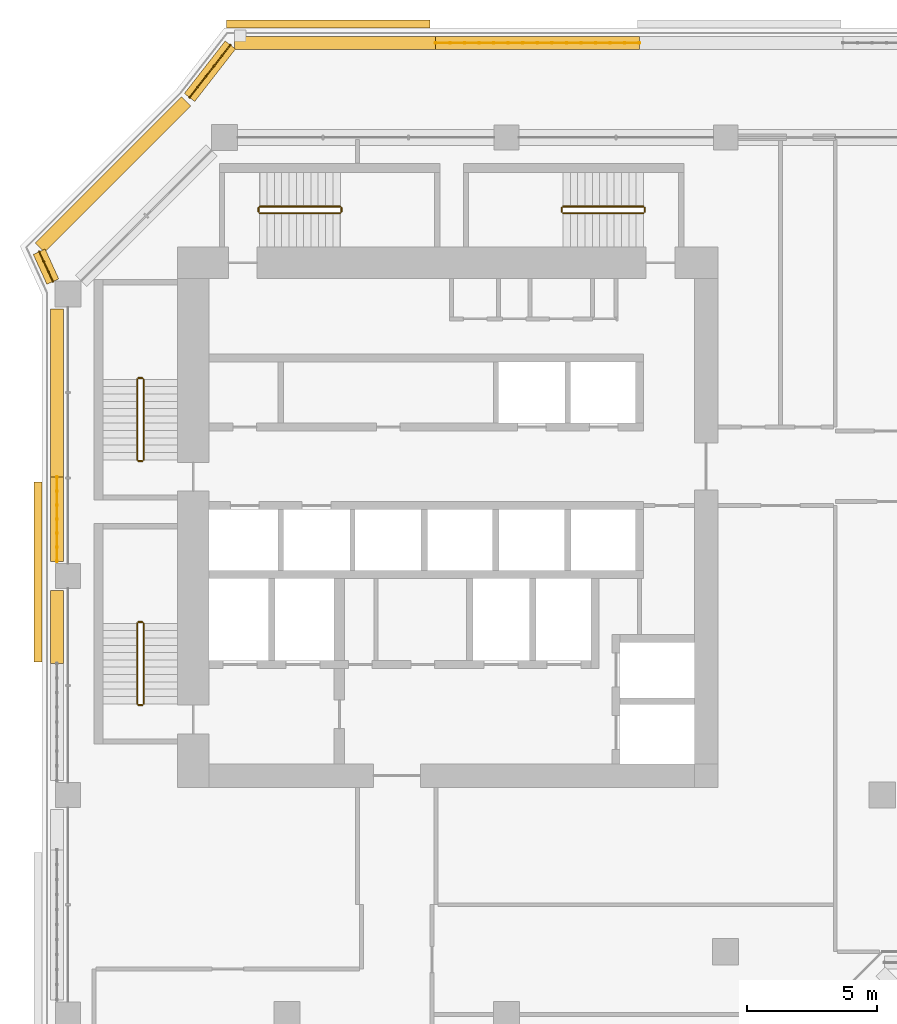
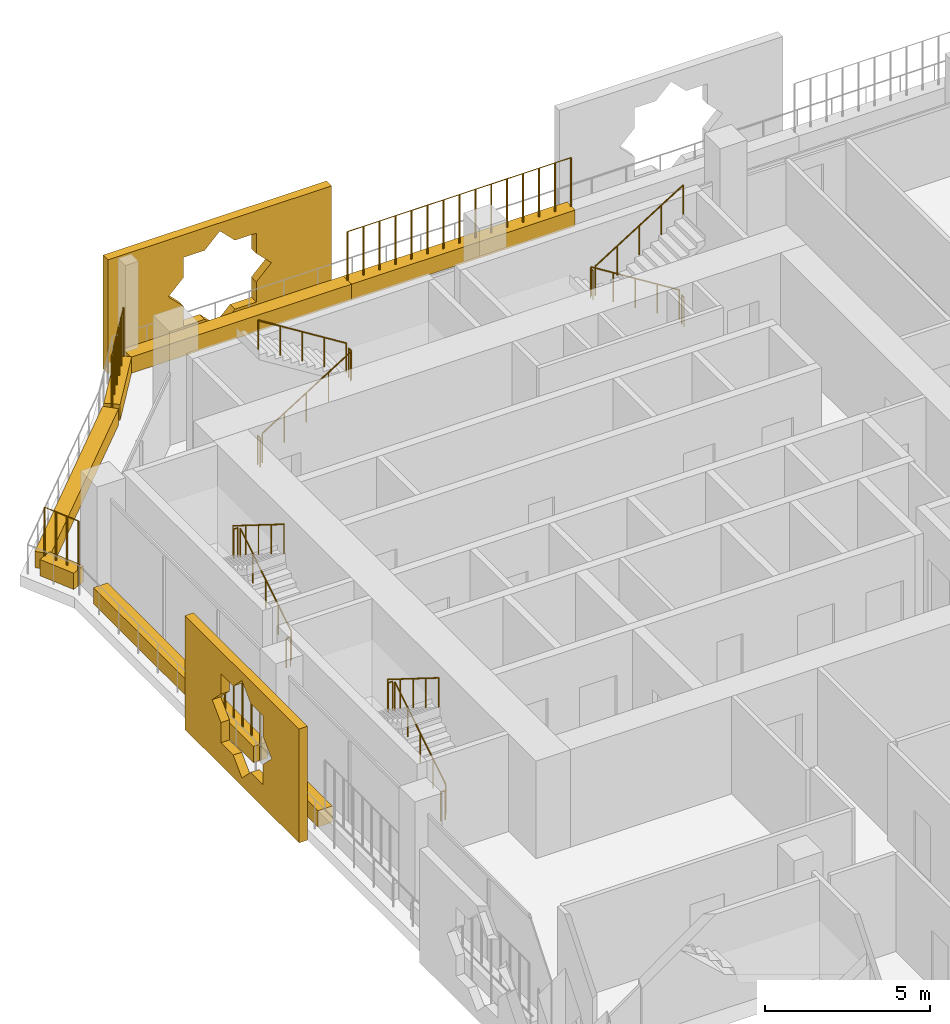
# One storey, part 19 of 21: 20 railings, 10 coverings.
"""IFC4 building model written with IfcOpenShell, lengths in metres."""

from ifc_helpers import new_model, si_unit, direction, frame, origin, origin_2d, place, context, subcontext, project, spatial, polyline, rectangle, circle, outline, extrude, material, material_profile, profile_set, type_object, element, save


model = new_model("IFC4")

# Units and contexts
model_context = context("Model", 3, precision=1e-05, world=origin(), true_north=direction((0.0, 1.0)))
body_context = subcontext(model_context, "Body", "Model", "MODEL_VIEW")
ifc_project = project(units=[si_unit("LENGTHUNIT", "METRE"), si_unit("AREAUNIT", "SQUARE_METRE"), si_unit("VOLUMEUNIT", "CUBIC_METRE"), si_unit("PLANEANGLEUNIT", "RADIAN"), si_unit("MASSUNIT", "GRAM", prefix="KILO")], contexts=[model_context])

# Site, building, storey
site_placement = place(None, origin())
site = spatial("IfcSite", under=ifc_project, at=site_placement, CompositionType="ELEMENT")
building_placement = place(site_placement, origin())
building = spatial("IfcBuilding", under=site, at=building_placement, Name="Kawkab Arch Medical Tower", CompositionType="ELEMENT")
storey_placement = place(building_placement, frame((0.0, 0.0, 192.0)))
storey = spatial("IfcBuildingStorey", under=building, at=storey_placement, Name="L44", CompositionType="ELEMENT", Elevation=192.0)

# Coverings
ifc_material_1 = material(Name="Bronze anodised aluminium mashrabiya panel, eight-point star pattern", Category="aluminium")
ifc_material_profile_1 = material_profile(ifc_material_1, outline(polyline([(-3.449951171875, -2.10009765625), (3.449951171875, -2.10009765625), (3.449951171875, 2.10009765625), (-3.449951171875, 2.10009765625), (-3.449951171875, -2.10009765625)]), holes=[polyline([(1.800048828125, 0.0), (1.272705078125, 0.527099609375), (1.272705078125, 1.272705078125), (0.527099609375, 1.272705078125), (0.0, 1.800048828125), (-0.527099609375, 1.272705078125), (-1.272705078125, 1.272705078125), (-1.272705078125, 0.527099609375), (-1.800048828125, 0.0), (-1.272705078125, -0.527099609375), (-1.272705078125, -1.272705078125), (-0.527099609375, -1.272705078125), (0.0, -1.800048828125), (0.527099609375, -1.272705078125), (1.272705078125, -1.272705078125), (1.272705078125, -0.527099609375), (1.800048828125, 0.0)])]), Name="Mashrabiya panel 6900x4200")
ifc_profile_set_1 = profile_set([ifc_material_profile_1], Name="Bronze anodised aluminium mashrabiya panel, eight-point star pattern")
covering_type_1 = type_object("IfcCoveringType", Name="Mashrabiya panel 6900 x 4200", PredefinedType="USERDEFINED", material=ifc_profile_set_1)
covering_1_placement = place(storey_placement, frame((-1.0, -16.64892578125, 1.699951171875), z_axis=(-1.0, 0.0, 0.0), x_axis=(0.0, -1.0, 0.0)))
element("IfcCovering", 1, at=covering_1_placement, inside=storey, type_object=covering_type_1, Name="Mashrabiya panel L44.LOG-01-01.4", ObjectType="SCREEN", PredefinedType="USERDEFINED", context=body_context, shape_type="SweptSolid", body=[
    extrude(outline(polyline([(-3.449951171875, -2.10009765625), (3.449951171875, -2.10009765625), (3.449951171875, 2.10009765625), (-3.449951171875, 2.10009765625), (-3.449951171875, -2.10009765625)]), holes=[polyline([(1.800048828125, 0.0), (1.272705078125, 0.527099609375), (1.272705078125, 1.272705078125), (0.527099609375, 1.272705078125), (0.0, 1.800048828125), (-0.527099609375, 1.272705078125), (-1.272705078125, 1.272705078125), (-1.272705078125, 0.527099609375), (-1.800048828125, 0.0), (-1.272705078125, -0.527099609375), (-1.272705078125, -1.272705078125), (-0.527099609375, -1.272705078125), (0.0, -1.800048828125), (0.527099609375, -1.272705078125), (1.272705078125, -1.272705078125), (1.272705078125, -0.527099609375), (1.800048828125, 0.0)])]), origin(), (0.0, 0.0, 1.0), 0.300048828125),
])
ifc_material_2 = material(Name="Bronze anodised aluminium mashrabiya panel, eight-point star pattern", Category="aluminium")
ifc_material_profile_2 = material_profile(ifc_material_2, outline(polyline([(-3.89990234375, -2.10009765625), (3.89990234375, -2.10009765625), (3.89990234375, 2.10009765625), (-3.89990234375, 2.10009765625), (-3.89990234375, -2.10009765625)]), holes=[polyline([(1.800048828125, 0.0), (1.272705078125, 0.527099609375), (1.272705078125, 1.272705078125), (0.527099609375, 1.272705078125), (0.0, 1.800048828125), (-0.527099609375, 1.272705078125), (-1.272705078125, 1.272705078125), (-1.272705078125, 0.527099609375), (-1.800048828125, 0.0), (-1.272705078125, -0.527099609375), (-1.272705078125, -1.272705078125), (-0.527099609375, -1.272705078125), (0.0, -1.800048828125), (0.527099609375, -1.272705078125), (1.272705078125, -1.272705078125), (1.272705078125, -0.527099609375), (1.800048828125, 0.0)])]), Name="Mashrabiya panel 7800x4200")
ifc_profile_set_2 = profile_set([ifc_material_profile_2], Name="Bronze anodised aluminium mashrabiya panel, eight-point star pattern")
covering_type_2 = type_object("IfcCoveringType", Name="Mashrabiya panel 7800 x 4200", PredefinedType="USERDEFINED", material=ifc_profile_set_2)
covering_2_placement = place(storey_placement, frame((9.967041015625, 4.199951171875, 1.699951171875), z_axis=(0.0, 1.0, 0.0), x_axis=(-1.0, 0.0, 0.0)))
element("IfcCovering", 2, at=covering_2_placement, inside=storey, type_object=covering_type_2, Name="Mashrabiya panel L44.LOG-01-01.5", ObjectType="SCREEN", PredefinedType="USERDEFINED", context=body_context, shape_type="SweptSolid", body=[
    extrude(outline(polyline([(-3.89990234375, -2.10009765625), (3.89990234375, -2.10009765625), (3.89990234375, 2.10009765625), (-3.89990234375, 2.10009765625), (-3.89990234375, -2.10009765625)]), holes=[polyline([(1.800048828125, 0.0), (1.272705078125, 0.527099609375), (1.272705078125, 1.272705078125), (0.527099609375, 1.272705078125), (0.0, 1.800048828125), (-0.527099609375, 1.272705078125), (-1.272705078125, 1.272705078125), (-1.272705078125, 0.527099609375), (-1.800048828125, 0.0), (-1.272705078125, -0.527099609375), (-1.272705078125, -1.272705078125), (-0.527099609375, -1.272705078125), (0.0, -1.800048828125), (0.527099609375, -1.272705078125), (1.272705078125, -1.272705078125), (1.272705078125, -0.527099609375), (1.800048828125, 0.0)])]), origin(), (0.0, 0.0, 1.0), 0.300048828125),
])
ifc_material_3 = material(Name="Planting soil in a precast trough", Category="concrete")
ifc_material_profile_3 = material_profile(ifc_material_3, rectangle(XDim=0.5, YDim=0.60009765625, at=origin_2d()), Name="Trough 500x600")
ifc_profile_set_3 = profile_set([ifc_material_profile_3], Name="Planting soil in a precast trough")
covering_type_3 = type_object("IfcCoveringType", Name="Planter trough 500 x 600", PredefinedType="USERDEFINED", material=ifc_profile_set_3)
covering_3_placement = place(storey_placement, frame((-0.419921875, -20.157958984375, 0.300048828125), z_axis=(0.0, 1.0, 0.0), x_axis=(-1.0, 0.0, 0.0)))
element("IfcCovering", 3, at=covering_3_placement, inside=storey, type_object=covering_type_3, Name="Planter L44.LOG-01-01.12", ObjectType="PLANTER", PredefinedType="USERDEFINED", context=body_context, shape_type="SweptSolid", body=[
    extrude(rectangle(XDim=0.5, YDim=0.60009765625, at=origin_2d()), origin(), (0.0, 0.0, 1.0), 2.802978515625),
])
covering_4_placement = place(storey_placement, frame((-0.419921875, -16.2451171875, 0.300048828125), z_axis=(0.0, 1.0, 0.0), x_axis=(-1.0, 0.0, 0.0)))
element("IfcCovering", 4, at=covering_4_placement, inside=storey, type_object=covering_type_3, Name="Planter L44.LOG-01-01.13", ObjectType="PLANTER", PredefinedType="USERDEFINED", context=body_context, shape_type="SweptSolid", body=[
    extrude(rectangle(XDim=0.5, YDim=0.60009765625, at=origin_2d()), origin(), (0.0, 0.0, 1.0), 3.22900390625),
])
covering_5_placement = place(storey_placement, frame((-0.419921875, -13.01611328125, 0.300048828125), z_axis=(0.0, 1.0, 0.0), x_axis=(-1.0, 0.0, 0.0)))
element("IfcCovering", 5, at=covering_5_placement, inside=storey, type_object=covering_type_3, Name="Planter L44.LOG-01-01.14", ObjectType="PLANTER", PredefinedType="USERDEFINED", context=body_context, shape_type="SweptSolid", body=[
    extrude(rectangle(XDim=0.5, YDim=0.60009765625, at=origin_2d()), origin(), (0.0, 0.0, 1.0), 6.43603515625),
])
covering_6_placement = place(storey_placement, frame((-0.580078125, -5.52294921875, 0.300048828125), z_axis=(-0.415089762627, 0.909780461959, 0.0), x_axis=(-0.909780461959, -0.415089762627, 0.0)))
element("IfcCovering", 6, at=covering_6_placement, inside=storey, type_object=covering_type_3, Name="Planter L44.LOG-01-01.15", ObjectType="PLANTER", PredefinedType="USERDEFINED", context=body_context, shape_type="SweptSolid", body=[
    extrude(rectangle(XDim=0.5, YDim=0.60009765625, at=origin_2d()), origin(), (0.0, 0.0, 1.0), 1.257568359375),
])
covering_7_placement = place(storey_placement, frame((-1.072998046875, -4.217041015625, 0.300048828125), z_axis=(0.707106781187, 0.707106781187, 0.0), x_axis=(-0.707106781187, 0.707106781187, 0.0)))
element("IfcCovering", 7, at=covering_7_placement, inside=storey, type_object=covering_type_3, Name="Planter L44.LOG-01-01.16", ObjectType="PLANTER", PredefinedType="USERDEFINED", context=body_context, shape_type="SweptSolid", body=[
    extrude(rectangle(XDim=0.5, YDim=0.60009765625, at=origin_2d()), origin(), (0.0, 0.0, 1.0), 7.919677734375),
])
covering_8_placement = place(storey_placement, frame((4.658935546875, 1.531982421875, 0.300048828125), z_axis=(0.61404021143, 0.789274742246, 0.0), x_axis=(-0.789274742246, 0.61404021143, 0.0)))
element("IfcCovering", 8, at=covering_8_placement, inside=storey, type_object=covering_type_3, Name="Planter L44.LOG-01-01.17", ObjectType="PLANTER", PredefinedType="USERDEFINED", context=body_context, shape_type="SweptSolid", body=[
    extrude(rectangle(XDim=0.5, YDim=0.60009765625, at=origin_2d()), origin(), (0.0, 0.0, 1.0), 2.54541015625),
])
covering_9_placement = place(storey_placement, frame((6.384033203125, 3.6201171875, 0.300048828125), z_axis=(1.0, 0.0, 0.0), x_axis=(0.0, 1.0, 0.0)))
element("IfcCovering", 9, at=covering_9_placement, inside=storey, type_object=covering_type_3, Name="Planter L44.LOG-01-01.18", ObjectType="PLANTER", PredefinedType="USERDEFINED", context=body_context, shape_type="SweptSolid", body=[
    extrude(rectangle(XDim=0.5, YDim=0.60009765625, at=origin_2d()), origin(), (0.0, 0.0, 1.0), 7.703857421875),
])
covering_10_placement = place(storey_placement, frame((14.087890625, 3.6201171875, 0.300048828125), z_axis=(1.0, 0.0, 0.0), x_axis=(0.0, 1.0, 0.0)))
element("IfcCovering", 10, at=covering_10_placement, inside=storey, type_object=covering_type_3, Name="Planter L44.LOG-01-01.19", ObjectType="PLANTER", PredefinedType="USERDEFINED", context=body_context, shape_type="SweptSolid", body=[
    extrude(rectangle(XDim=0.5, YDim=0.60009765625, at=origin_2d()), origin(), (0.0, 0.0, 1.0), 7.80517578125),
])

# Railings
ifc_material_4 = material(Name="Bronze anodised aluminium trellis for climbing plants", Category="aluminium")
railing_type_1 = type_object("IfcRailingType", Name="Planting trellis 2400", PredefinedType="USERDEFINED", material=ifc_material_4)
railing_1_placement = place(storey_placement, frame((-0.419921875, -16.2451171875, 0.0)))
element("IfcRailing", 11, at=railing_1_placement, inside=storey, type_object=railing_type_1, Name="Planting trellis L44.LOG-01-01.13", ObjectType="TRELLIS", PredefinedType="USERDEFINED", context=body_context, shape_type="SweptSolid", body=[
    extrude(circle(Radius=0.01513671875, at=origin_2d()), frame((0.0, 0.0, 2.384765625), z_axis=(0.0, 1.0, 0.0), x_axis=(-1.0, 0.0, 0.0)), (0.0, 0.0, 1.0), 3.22900390625),
    extrude(circle(Radius=0.030029296875, at=origin_2d()), origin(), (0.0, 0.0, 1.0), 2.369873046875),
    extrude(circle(Radius=0.030029296875, at=origin_2d()), frame((0.0, 0.5380859375, 0.0)), (0.0, 0.0, 1.0), 2.369873046875),
    extrude(circle(Radius=0.030029296875, at=origin_2d()), frame((0.0, 1.076416015625, 0.0)), (0.0, 0.0, 1.0), 2.369873046875),
    extrude(circle(Radius=0.030029296875, at=origin_2d()), frame((0.0, 1.614501953125, 0.0)), (0.0, 0.0, 1.0), 2.369873046875),
    extrude(circle(Radius=0.030029296875, at=origin_2d()), frame((0.0, 2.152587890625, 0.0)), (0.0, 0.0, 1.0), 2.369873046875),
    extrude(circle(Radius=0.030029296875, at=origin_2d()), frame((0.0, 2.69091796875, 0.0)), (0.0, 0.0, 1.0), 2.369873046875),
    extrude(circle(Radius=0.030029296875, at=origin_2d()), frame((0.0, 3.22900390625, 0.0)), (0.0, 0.0, 1.0), 2.369873046875),
])
railing_2_placement = place(storey_placement, frame((-0.580078125, -5.52294921875, 0.0)))
element("IfcRailing", 12, at=railing_2_placement, inside=storey, type_object=railing_type_1, Name="Planting trellis L44.LOG-01-01.15", ObjectType="TRELLIS", PredefinedType="USERDEFINED", context=body_context, shape_type="SweptSolid", body=[
    extrude(circle(Radius=0.01513671875, at=origin_2d()), frame((0.0, 0.0, 2.384765625), z_axis=(-0.415089762627, 0.909780461959, 0.0), x_axis=(-0.909780461959, -0.415089762627, 0.0)), (0.0, 0.0, 1.0), 1.257568359375),
    extrude(circle(Radius=0.030029296875, at=origin_2d()), origin(), (0.0, 0.0, 1.0), 2.369873046875),
    extrude(circle(Radius=0.030029296875, at=origin_2d()), frame((-0.174072265625, 0.38134765625, 0.0)), (0.0, 0.0, 1.0), 2.369873046875),
    extrude(circle(Radius=0.030029296875, at=origin_2d()), frame((-0.347900390625, 0.7626953125, 0.0)), (0.0, 0.0, 1.0), 2.369873046875),
    extrude(circle(Radius=0.030029296875, at=origin_2d()), frame((-0.52197265625, 1.14404296875, 0.0)), (0.0, 0.0, 1.0), 2.369873046875),
])
railing_3_placement = place(storey_placement, frame((4.658935546875, 1.531982421875, 0.0)))
element("IfcRailing", 13, at=railing_3_placement, inside=storey, type_object=railing_type_1, Name="Planting trellis L44.LOG-01-01.17", ObjectType="TRELLIS", PredefinedType="USERDEFINED", context=body_context, shape_type="SweptSolid", body=[
    extrude(circle(Radius=0.01513671875, at=origin_2d()), frame((0.0, 0.0, 2.384765625), z_axis=(0.61404021143, 0.789274742246, 0.0), x_axis=(-0.789274742246, 0.61404021143, 0.0)), (0.0, 0.0, 1.0), 2.54541015625),
    extrude(circle(Radius=0.030029296875, at=origin_2d()), origin(), (0.0, 0.0, 1.0), 2.369873046875),
    extrude(circle(Radius=0.030029296875, at=origin_2d()), frame((0.3125, 0.40185546875, 0.0)), (0.0, 0.0, 1.0), 2.369873046875),
    extrude(circle(Radius=0.030029296875, at=origin_2d()), frame((0.625244140625, 0.8037109375, 0.0)), (0.0, 0.0, 1.0), 2.369873046875),
    extrude(circle(Radius=0.030029296875, at=origin_2d()), frame((0.937744140625, 1.205322265625, 0.0)), (0.0, 0.0, 1.0), 2.369873046875),
    extrude(circle(Radius=0.030029296875, at=origin_2d()), frame((1.25048828125, 1.607177734375, 0.0)), (0.0, 0.0, 1.0), 2.369873046875),
    extrude(circle(Radius=0.030029296875, at=origin_2d()), frame((1.56298828125, 2.009033203125, 0.0)), (0.0, 0.0, 1.0), 2.369873046875),
])
railing_4_placement = place(storey_placement, frame((14.087890625, 3.6201171875, 0.0)))
element("IfcRailing", 14, at=railing_4_placement, inside=storey, type_object=railing_type_1, Name="Planting trellis L44.LOG-01-01.19", ObjectType="TRELLIS", PredefinedType="USERDEFINED", context=body_context, shape_type="SweptSolid", body=[
    extrude(circle(Radius=0.01513671875, at=origin_2d()), frame((0.0, 0.0, 2.384765625), z_axis=(1.0, 0.0, 0.0), x_axis=(0.0, 1.0, 0.0)), (0.0, 0.0, 1.0), 7.80517578125),
    extrude(circle(Radius=0.030029296875, at=origin_2d()), origin(), (0.0, 0.0, 1.0), 2.369873046875),
    extrude(circle(Radius=0.030029296875, at=origin_2d()), frame((0.5576171875, 0.0, 0.0)), (0.0, 0.0, 1.0), 2.369873046875),
    extrude(circle(Radius=0.030029296875, at=origin_2d()), frame((1.114990234375, 0.0, 0.0)), (0.0, 0.0, 1.0), 2.369873046875),
    extrude(circle(Radius=0.030029296875, at=origin_2d()), frame((1.672607421875, 0.0, 0.0)), (0.0, 0.0, 1.0), 2.369873046875),
    extrude(circle(Radius=0.030029296875, at=origin_2d()), frame((2.22998046875, 0.0, 0.0)), (0.0, 0.0, 1.0), 2.369873046875),
    extrude(circle(Radius=0.030029296875, at=origin_2d()), frame((2.78759765625, 0.0, 0.0)), (0.0, 0.0, 1.0), 2.369873046875),
    extrude(circle(Radius=0.030029296875, at=origin_2d()), frame((3.344970703125, 0.0, 0.0)), (0.0, 0.0, 1.0), 2.369873046875),
    extrude(circle(Radius=0.030029296875, at=origin_2d()), frame((3.902587890625, 0.0, 0.0)), (0.0, 0.0, 1.0), 2.369873046875),
    extrude(circle(Radius=0.030029296875, at=origin_2d()), frame((4.460205078125, 0.0, 0.0)), (0.0, 0.0, 1.0), 2.369873046875),
    extrude(circle(Radius=0.030029296875, at=origin_2d()), frame((5.017578125, 0.0, 0.0)), (0.0, 0.0, 1.0), 2.369873046875),
    extrude(circle(Radius=0.030029296875, at=origin_2d()), frame((5.5751953125, 0.0, 0.0)), (0.0, 0.0, 1.0), 2.369873046875),
    extrude(circle(Radius=0.030029296875, at=origin_2d()), frame((6.132568359375, 0.0, 0.0)), (0.0, 0.0, 1.0), 2.369873046875),
    extrude(circle(Radius=0.030029296875, at=origin_2d()), frame((6.690185546875, 0.0, 0.0)), (0.0, 0.0, 1.0), 2.369873046875),
    extrude(circle(Radius=0.030029296875, at=origin_2d()), frame((7.24755859375, 0.0, 0.0)), (0.0, 0.0, 1.0), 2.369873046875),
    extrude(circle(Radius=0.030029296875, at=origin_2d()), frame((7.80517578125, 0.0, 0.0)), (0.0, 0.0, 1.0), 2.369873046875),
])
ifc_material_5 = material(Name="Stainless steel", Category="steel")
railing_type_2 = type_object("IfcRailingType", Name="Stair guard 1100", PredefinedType="GUARDRAIL", material=ifc_material_5)
railing_5_placement = place(storey_placement, frame((2.89990234375, -12.35009765625, 0.175048828125)))
element("IfcRailing", 15, at=railing_5_placement, inside=storey, type_object=railing_type_2, Name="L44 ST1 stair guard 1", PredefinedType="GUARDRAIL", context=body_context, shape_type="SweptSolid", body=[
    extrude(circle(Radius=0.02392578125, at=origin_2d()), frame((0.0, 0.0, 1.076171875), z_axis=(0.0, 0.847998304005, 0.529998940003), x_axis=(-1.0, 0.0, 0.0)), (0.0, 0.0, 1.0), 3.632080078125),
    extrude(circle(Radius=0.02099609375, at=origin_2d()), origin(), (0.0, 0.0, 1.0), 1.052001953125),
    extrude(circle(Radius=0.02099609375, at=origin_2d()), frame((0.0, 0.77001953125, 0.481201171875)), (0.0, 0.0, 1.0), 1.052001953125),
    extrude(circle(Radius=0.02099609375, at=origin_2d()), frame((0.0, 1.5400390625, 0.96240234375)), (0.0, 0.0, 1.0), 1.052001953125),
    extrude(circle(Radius=0.02099609375, at=origin_2d()), frame((0.0, 2.31005859375, 1.44384765625)), (0.0, 0.0, 1.0), 1.052001953125),
    extrude(circle(Radius=0.02099609375, at=origin_2d()), frame((0.0, 3.080078125, 1.925048828125)), (0.0, 0.0, 1.0), 1.052001953125),
])
railing_6_placement = place(storey_placement, frame((2.85009765625, -9.219970703125, 2.10009765625)))
element("IfcRailing", 16, at=railing_6_placement, inside=storey, type_object=railing_type_2, Name="L44 ST1 stair guard 2", PredefinedType="GUARDRAIL", context=body_context, shape_type="SweptSolid", body=[
    extrude(circle(Radius=0.02392578125, at=origin_2d()), frame((0.0, 0.0, 1.076171875), z_axis=(-1.0, 0.0, 0.0), x_axis=(0.0, -1.0, 0.0)), (0.0, 0.0, 1.0), 0.150146484375),
    extrude(circle(Radius=0.02099609375, at=origin_2d()), origin(), (0.0, 0.0, 1.0), 1.052001953125),
    extrude(circle(Radius=0.02099609375, at=origin_2d()), frame((-0.150146484375, 0.0, 0.0)), (0.0, 0.0, 1.0), 1.052001953125),
])
railing_7_placement = place(storey_placement, frame((2.64990234375, -9.27001953125, 2.27490234375)))
element("IfcRailing", 17, at=railing_7_placement, inside=storey, type_object=railing_type_2, Name="L44 ST1 stair guard 3", PredefinedType="GUARDRAIL", context=body_context, shape_type="SweptSolid", body=[
    extrude(circle(Radius=0.02392578125, at=origin_2d()), frame((0.0, 0.0, 1.076171875), z_axis=(0.0, -0.847998304005, 0.529998940003), x_axis=(1.0, 0.0, 0.0)), (0.0, 0.0, 1.0), 3.632080078125),
    extrude(circle(Radius=0.02099609375, at=origin_2d()), origin(), (0.0, 0.0, 1.0), 1.052001953125),
    extrude(circle(Radius=0.02099609375, at=origin_2d()), frame((0.0, -0.77001953125, 0.481201171875)), (0.0, 0.0, 1.0), 1.052001953125),
    extrude(circle(Radius=0.02099609375, at=origin_2d()), frame((0.0, -1.5400390625, 0.96240234375)), (0.0, 0.0, 1.0), 1.052001953125),
    extrude(circle(Radius=0.02099609375, at=origin_2d()), frame((0.0, -2.31005859375, 1.44384765625)), (0.0, 0.0, 1.0), 1.052001953125),
    extrude(circle(Radius=0.02099609375, at=origin_2d()), frame((0.0, -3.080078125, 1.925048828125)), (0.0, 0.0, 1.0), 1.052001953125),
])
railing_8_placement = place(storey_placement, frame((2.85009765625, -12.39990234375, 0.0)))
element("IfcRailing", 18, at=railing_8_placement, inside=storey, type_object=railing_type_2, Name="L44 ST1 stair guard 4", PredefinedType="GUARDRAIL", context=body_context, shape_type="SweptSolid", body=[
    extrude(circle(Radius=0.02392578125, at=origin_2d()), frame((0.0, 0.0, 1.076171875), z_axis=(-1.0, 0.0, 0.0), x_axis=(0.0, -1.0, 0.0)), (0.0, 0.0, 1.0), 0.150146484375),
    extrude(circle(Radius=0.02099609375, at=origin_2d()), origin(), (0.0, 0.0, 1.0), 1.052001953125),
    extrude(circle(Radius=0.02099609375, at=origin_2d()), frame((-0.150146484375, 0.0, 0.0)), (0.0, 0.0, 1.0), 1.052001953125),
])
railing_9_placement = place(storey_placement, frame((2.89990234375, -21.699951171875, 0.175048828125)))
element("IfcRailing", 19, at=railing_9_placement, inside=storey, type_object=railing_type_2, Name="L44 ST2 stair guard 1", PredefinedType="GUARDRAIL", context=body_context, shape_type="SweptSolid", body=[
    extrude(circle(Radius=0.02392578125, at=origin_2d()), frame((0.0, 0.0, 1.076171875), z_axis=(0.0, 0.847979421464, 0.530029150871), x_axis=(-1.0, 0.0, 0.0)), (0.0, 0.0, 1.0), 3.632080078125),
    extrude(circle(Radius=0.02099609375, at=origin_2d()), origin(), (0.0, 0.0, 1.0), 1.052001953125),
    extrude(circle(Radius=0.02099609375, at=origin_2d()), frame((0.0, 0.77001953125, 0.481201171875)), (0.0, 0.0, 1.0), 1.052001953125),
    extrude(circle(Radius=0.02099609375, at=origin_2d()), frame((0.0, 1.5400390625, 0.96240234375)), (0.0, 0.0, 1.0), 1.052001953125),
    extrude(circle(Radius=0.02099609375, at=origin_2d()), frame((0.0, 2.309814453125, 1.44384765625)), (0.0, 0.0, 1.0), 1.052001953125),
    extrude(circle(Radius=0.02099609375, at=origin_2d()), frame((0.0, 3.079833984375, 1.925048828125)), (0.0, 0.0, 1.0), 1.052001953125),
])
railing_10_placement = place(storey_placement, frame((2.85009765625, -18.570068359375, 2.10009765625)))
element("IfcRailing", 20, at=railing_10_placement, inside=storey, type_object=railing_type_2, Name="L44 ST2 stair guard 2", PredefinedType="GUARDRAIL", context=body_context, shape_type="SweptSolid", body=[
    extrude(circle(Radius=0.02392578125, at=origin_2d()), frame((0.0, 0.0, 1.076171875), z_axis=(-1.0, 0.0, 0.0), x_axis=(0.0, -1.0, 0.0)), (0.0, 0.0, 1.0), 0.150146484375),
    extrude(circle(Radius=0.02099609375, at=origin_2d()), origin(), (0.0, 0.0, 1.0), 1.052001953125),
    extrude(circle(Radius=0.02099609375, at=origin_2d()), frame((-0.150146484375, 0.0, 0.0)), (0.0, 0.0, 1.0), 1.052001953125),
])
railing_11_placement = place(storey_placement, frame((2.64990234375, -18.6201171875, 2.27490234375)))
element("IfcRailing", 21, at=railing_11_placement, inside=storey, type_object=railing_type_2, Name="L44 ST2 stair guard 3", PredefinedType="GUARDRAIL", context=body_context, shape_type="SweptSolid", body=[
    extrude(circle(Radius=0.02392578125, at=origin_2d()), frame((0.0, 0.0, 1.076171875), z_axis=(0.0, -0.847979421464, 0.530029150871), x_axis=(1.0, 0.0, 0.0)), (0.0, 0.0, 1.0), 3.632080078125),
    extrude(circle(Radius=0.02099609375, at=origin_2d()), origin(), (0.0, 0.0, 1.0), 1.052001953125),
    extrude(circle(Radius=0.02099609375, at=origin_2d()), frame((0.0, -0.77001953125, 0.481201171875)), (0.0, 0.0, 1.0), 1.052001953125),
    extrude(circle(Radius=0.02099609375, at=origin_2d()), frame((0.0, -1.5400390625, 0.96240234375)), (0.0, 0.0, 1.0), 1.052001953125),
    extrude(circle(Radius=0.02099609375, at=origin_2d()), frame((0.0, -2.309814453125, 1.44384765625)), (0.0, 0.0, 1.0), 1.052001953125),
    extrude(circle(Radius=0.02099609375, at=origin_2d()), frame((0.0, -3.079833984375, 1.925048828125)), (0.0, 0.0, 1.0), 1.052001953125),
])
railing_12_placement = place(storey_placement, frame((2.85009765625, -21.75, 0.0)))
element("IfcRailing", 22, at=railing_12_placement, inside=storey, type_object=railing_type_2, Name="L44 ST2 stair guard 4", PredefinedType="GUARDRAIL", context=body_context, shape_type="SweptSolid", body=[
    extrude(circle(Radius=0.02392578125, at=origin_2d()), frame((0.0, 0.0, 1.076171875), z_axis=(-1.0, 0.0, 0.0), x_axis=(0.0, -1.0, 0.0)), (0.0, 0.0, 1.0), 0.150146484375),
    extrude(circle(Radius=0.02099609375, at=origin_2d()), origin(), (0.0, 0.0, 1.0), 1.052001953125),
    extrude(circle(Radius=0.02099609375, at=origin_2d()), frame((-0.150146484375, 0.0, 0.0)), (0.0, 0.0, 1.0), 1.052001953125),
])
railing_13_placement = place(storey_placement, frame((7.35009765625, -2.89990234375, 0.175048828125)))
element("IfcRailing", 23, at=railing_13_placement, inside=storey, type_object=railing_type_2, Name="L44 ST3 stair guard 1", PredefinedType="GUARDRAIL", context=body_context, shape_type="SweptSolid", body=[
    extrude(circle(Radius=0.02392578125, at=origin_2d()), frame((0.0, 0.0, 1.076171875), z_axis=(0.847979421464, 0.0, 0.530029150871), x_axis=(0.0, 1.0, 0.0)), (0.0, 0.0, 1.0), 3.632080078125),
    extrude(circle(Radius=0.02099609375, at=origin_2d()), origin(), (0.0, 0.0, 1.0), 1.052001953125),
    extrude(circle(Radius=0.02099609375, at=origin_2d()), frame((0.77001953125, 0.0, 0.481201171875)), (0.0, 0.0, 1.0), 1.052001953125),
    extrude(circle(Radius=0.02099609375, at=origin_2d()), frame((1.5400390625, 0.0, 0.96240234375)), (0.0, 0.0, 1.0), 1.052001953125),
    extrude(circle(Radius=0.02099609375, at=origin_2d()), frame((2.309814453125, 0.0, 1.44384765625)), (0.0, 0.0, 1.0), 1.052001953125),
    extrude(circle(Radius=0.02099609375, at=origin_2d()), frame((3.079833984375, 0.0, 1.925048828125)), (0.0, 0.0, 1.0), 1.052001953125),
])
railing_14_placement = place(storey_placement, frame((10.47998046875, -2.85009765625, 2.10009765625)))
element("IfcRailing", 24, at=railing_14_placement, inside=storey, type_object=railing_type_2, Name="L44 ST3 stair guard 2", PredefinedType="GUARDRAIL", context=body_context, shape_type="SweptSolid", body=[
    extrude(circle(Radius=0.02392578125, at=origin_2d()), frame((0.0, 0.0, 1.076171875), z_axis=(0.0, 1.0, 0.0), x_axis=(-1.0, 0.0, 0.0)), (0.0, 0.0, 1.0), 0.150146484375),
    extrude(circle(Radius=0.02099609375, at=origin_2d()), origin(), (0.0, 0.0, 1.0), 1.052001953125),
    extrude(circle(Radius=0.02099609375, at=origin_2d()), frame((0.0, 0.150146484375, 0.0)), (0.0, 0.0, 1.0), 1.052001953125),
])
railing_15_placement = place(storey_placement, frame((10.429931640625, -2.64990234375, 2.27490234375)))
element("IfcRailing", 25, at=railing_15_placement, inside=storey, type_object=railing_type_2, Name="L44 ST3 stair guard 3", PredefinedType="GUARDRAIL", context=body_context, shape_type="SweptSolid", body=[
    extrude(circle(Radius=0.02392578125, at=origin_2d()), frame((0.0, 0.0, 1.076171875), z_axis=(-0.847979421464, 0.0, 0.530029150871), x_axis=(0.0, -1.0, 0.0)), (0.0, 0.0, 1.0), 3.632080078125),
    extrude(circle(Radius=0.02099609375, at=origin_2d()), origin(), (0.0, 0.0, 1.0), 1.052001953125),
    extrude(circle(Radius=0.02099609375, at=origin_2d()), frame((-0.77001953125, 0.0, 0.481201171875)), (0.0, 0.0, 1.0), 1.052001953125),
    extrude(circle(Radius=0.02099609375, at=origin_2d()), frame((-1.5400390625, 0.0, 0.96240234375)), (0.0, 0.0, 1.0), 1.052001953125),
    extrude(circle(Radius=0.02099609375, at=origin_2d()), frame((-2.309814453125, 0.0, 1.44384765625)), (0.0, 0.0, 1.0), 1.052001953125),
    extrude(circle(Radius=0.02099609375, at=origin_2d()), frame((-3.079833984375, 0.0, 1.925048828125)), (0.0, 0.0, 1.0), 1.052001953125),
])
railing_16_placement = place(storey_placement, frame((7.300048828125, -2.85009765625, 0.0)))
element("IfcRailing", 26, at=railing_16_placement, inside=storey, type_object=railing_type_2, Name="L44 ST3 stair guard 4", PredefinedType="GUARDRAIL", context=body_context, shape_type="SweptSolid", body=[
    extrude(circle(Radius=0.02392578125, at=origin_2d()), frame((0.0, 0.0, 1.076171875), z_axis=(0.0, 1.0, 0.0), x_axis=(-1.0, 0.0, 0.0)), (0.0, 0.0, 1.0), 0.150146484375),
    extrude(circle(Radius=0.02099609375, at=origin_2d()), origin(), (0.0, 0.0, 1.0), 1.052001953125),
    extrude(circle(Radius=0.02099609375, at=origin_2d()), frame((0.0, 0.150146484375, 0.0)), (0.0, 0.0, 1.0), 1.052001953125),
])
railing_17_placement = place(storey_placement, frame((22.050048828125, -2.64990234375, 0.175048828125)))
element("IfcRailing", 27, at=railing_17_placement, inside=storey, type_object=railing_type_2, Name="L44 ST4 stair guard 1", PredefinedType="GUARDRAIL", context=body_context, shape_type="SweptSolid", body=[
    extrude(circle(Radius=0.02392578125, at=origin_2d()), frame((0.0, 0.0, 1.076171875), z_axis=(-0.847998304005, 0.0, 0.529998940003), x_axis=(0.0, -1.0, 0.0)), (0.0, 0.0, 1.0), 3.632080078125),
    extrude(circle(Radius=0.02099609375, at=origin_2d()), origin(), (0.0, 0.0, 1.0), 1.052001953125),
    extrude(circle(Radius=0.02099609375, at=origin_2d()), frame((-0.77001953125, 0.0, 0.481201171875)), (0.0, 0.0, 1.0), 1.052001953125),
    extrude(circle(Radius=0.02099609375, at=origin_2d()), frame((-1.5400390625, 0.0, 0.96240234375)), (0.0, 0.0, 1.0), 1.052001953125),
    extrude(circle(Radius=0.02099609375, at=origin_2d()), frame((-2.31005859375, 0.0, 1.44384765625)), (0.0, 0.0, 1.0), 1.052001953125),
    extrude(circle(Radius=0.02099609375, at=origin_2d()), frame((-3.080078125, 0.0, 1.925048828125)), (0.0, 0.0, 1.0), 1.052001953125),
])
railing_18_placement = place(storey_placement, frame((18.919921875, -2.699951171875, 2.10009765625)))
element("IfcRailing", 28, at=railing_18_placement, inside=storey, type_object=railing_type_2, Name="L44 ST4 stair guard 2", PredefinedType="GUARDRAIL", context=body_context, shape_type="SweptSolid", body=[
    extrude(circle(Radius=0.02392578125, at=origin_2d()), frame((0.0, 0.0, 1.076171875), z_axis=(0.0, -1.0, 0.0), x_axis=(1.0, 0.0, 0.0)), (0.0, 0.0, 1.0), 0.150146484375),
    extrude(circle(Radius=0.02099609375, at=origin_2d()), origin(), (0.0, 0.0, 1.0), 1.052001953125),
    extrude(circle(Radius=0.02099609375, at=origin_2d()), frame((0.0, -0.150146484375, 0.0)), (0.0, 0.0, 1.0), 1.052001953125),
])
railing_19_placement = place(storey_placement, frame((18.969970703125, -2.89990234375, 2.27490234375)))
element("IfcRailing", 29, at=railing_19_placement, inside=storey, type_object=railing_type_2, Name="L44 ST4 stair guard 3", PredefinedType="GUARDRAIL", context=body_context, shape_type="SweptSolid", body=[
    extrude(circle(Radius=0.02392578125, at=origin_2d()), frame((0.0, 0.0, 1.076171875), z_axis=(0.847998304005, 0.0, 0.529998940003), x_axis=(0.0, 1.0, 0.0)), (0.0, 0.0, 1.0), 3.632080078125),
    extrude(circle(Radius=0.02099609375, at=origin_2d()), origin(), (0.0, 0.0, 1.0), 1.052001953125),
    extrude(circle(Radius=0.02099609375, at=origin_2d()), frame((0.77001953125, 0.0, 0.481201171875)), (0.0, 0.0, 1.0), 1.052001953125),
    extrude(circle(Radius=0.02099609375, at=origin_2d()), frame((1.5400390625, 0.0, 0.96240234375)), (0.0, 0.0, 1.0), 1.052001953125),
    extrude(circle(Radius=0.02099609375, at=origin_2d()), frame((2.31005859375, 0.0, 1.44384765625)), (0.0, 0.0, 1.0), 1.052001953125),
    extrude(circle(Radius=0.02099609375, at=origin_2d()), frame((3.080078125, 0.0, 1.925048828125)), (0.0, 0.0, 1.0), 1.052001953125),
])
railing_20_placement = place(storey_placement, frame((22.10009765625, -2.699951171875, 0.0)))
element("IfcRailing", 30, at=railing_20_placement, inside=storey, type_object=railing_type_2, Name="L44 ST4 stair guard 4", PredefinedType="GUARDRAIL", context=body_context, shape_type="SweptSolid", body=[
    extrude(circle(Radius=0.02392578125, at=origin_2d()), frame((0.0, 0.0, 1.076171875), z_axis=(0.0, -1.0, 0.0), x_axis=(1.0, 0.0, 0.0)), (0.0, 0.0, 1.0), 0.150146484375),
    extrude(circle(Radius=0.02099609375, at=origin_2d()), origin(), (0.0, 0.0, 1.0), 1.052001953125),
    extrude(circle(Radius=0.02099609375, at=origin_2d()), frame((0.0, -0.150146484375, 0.0)), (0.0, 0.0, 1.0), 1.052001953125),
])

save(model, "model.ifc")
